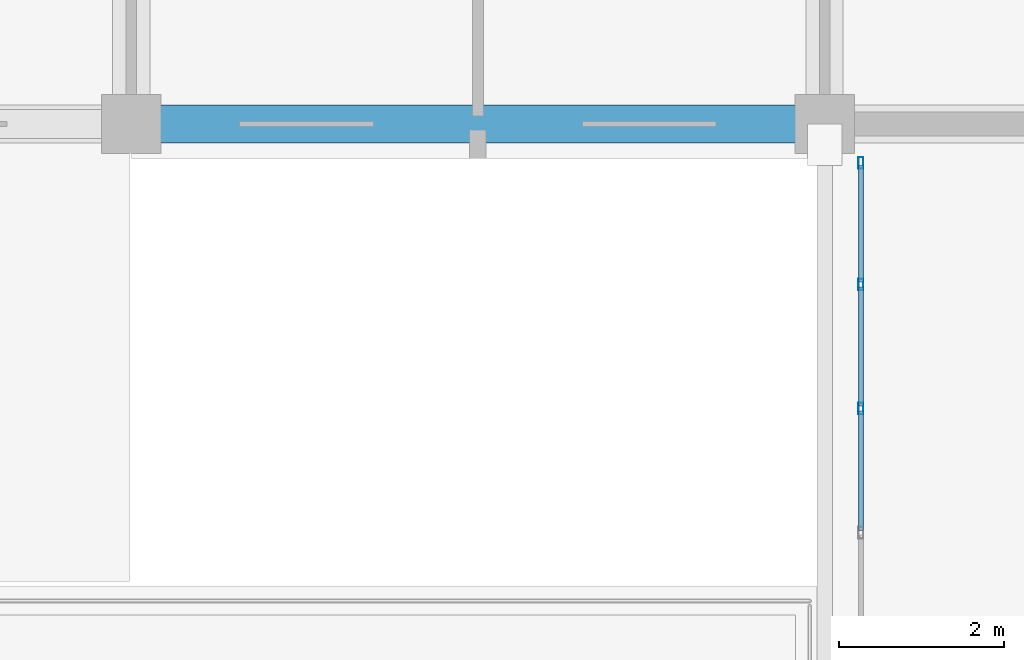
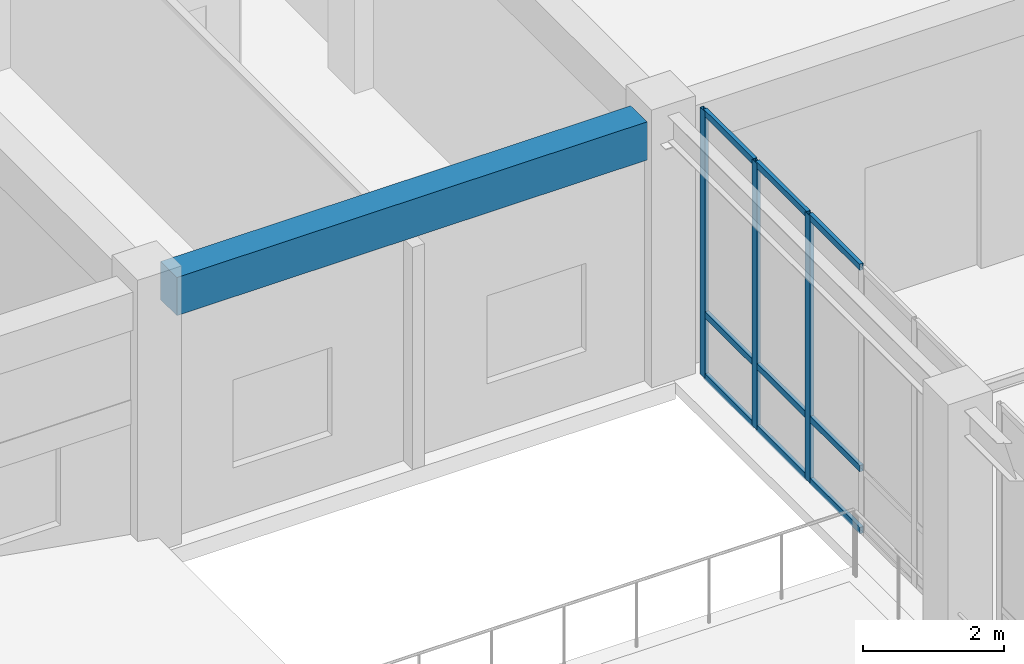
# One storey, part 73 of 158: 12 members, 1 beam, 1 element without a shape of its own.
"""IFC4 building model written with IfcOpenShell, lengths in metres."""

from ifc_helpers import new_model, si_unit, direction, frame, origin, origin_2d, place, context, subcontext, project, spatial, rectangle, hollow_rectangle, extrude, material, layer, layer_set, material_profile, profile_set, type_object, element, aggregate, save


model = new_model("IFC4")

# Units and contexts
model_context = context("Model", 3, precision=1e-05, world=origin(), true_north=direction((0.0, 1.0)))
body_context = subcontext(model_context, "Body", "Model", "MODEL_VIEW")
ifc_project = project(units=[si_unit("LENGTHUNIT", "METRE"), si_unit("AREAUNIT", "SQUARE_METRE"), si_unit("VOLUMEUNIT", "CUBIC_METRE"), si_unit("PLANEANGLEUNIT", "RADIAN"), si_unit("MASSUNIT", "GRAM", prefix="KILO")], contexts=[model_context])

# Site, building, storey
site_placement = place(None, origin())
site = spatial("IfcSite", under=ifc_project, at=site_placement, CompositionType="ELEMENT")
building_placement = place(site_placement, origin())
building = spatial("IfcBuilding", under=site, at=building_placement, Name="Trelvath General Hospital", CompositionType="ELEMENT")
storey_placement = place(building_placement, frame((0.0, 0.0, 8.10009765625)))
storey = spatial("IfcBuildingStorey", under=building, at=storey_placement, Name="L02", CompositionType="ELEMENT", Elevation=8.10009765625)

# Beam
ifc_material_1 = material(Name="Concrete C35/45", Category="concrete")
ifc_material_profile_1 = material_profile(ifc_material_1, rectangle(XDim=0.4599609375, YDim=0.659912109375, at=origin_2d()), Name="RCB460x660")
ifc_profile_set_1 = profile_set([ifc_material_profile_1], Name="Concrete C35/45")
beam_type = type_object("IfcBeamType", Name="Beam RC460x660", PredefinedType="BEAM", material=ifc_profile_set_1)
beam_placement = place(storey_placement, frame((67.554931640625, 92.39990234375, 4.18994140625), z_axis=(1.0, 0.0, 0.0), x_axis=(0.0, 1.0, 0.0)))
element("IfcBeam", 1, at=beam_placement, inside=storey, type_object=beam_type, Name="Grid Beam BX-208L", PredefinedType="BEAM", context=body_context, shape_type="SweptSolid", body=[
    extrude(rectangle(XDim=0.4599609375, YDim=0.659912109375, at=origin_2d()), origin(), (0.0, 0.0, 1.0), 7.690185546875),
])

# Curtain wall, members
ifc_material_2 = material(Name="Anodised aluminium and low-E glass", Category="aluminium")
ifc_layer = layer(ifc_material_2, 0.139892578125)
ifc_layer_set = layer_set([ifc_layer], Name="Anodised aluminium and low-E glass")
curtain_wall_type = type_object("IfcCurtainWallType", Name="CW Bridge 752 461", PredefinedType="USERDEFINED", material=ifc_layer_set)
curtain_wall_placement = place(storey_placement, origin())
curtain_wall = element("IfcCurtainWall", 2, at=curtain_wall_placement, inside=storey, type_object=curtain_wall_type, Name="Glazed Bridge Curtain Wall BRG-N-C W L02", ObjectType="Unitised Glazed Curtain Wall", PredefinedType="USERDEFINED")
ifc_material_3 = material(Name="Anodised aluminium", Category="aluminium")
ifc_material_profile_2 = material_profile(ifc_material_3, hollow_rectangle(XDim=0.06005859375, YDim=0.139892578125, WallThickness=0.00390625, at=origin_2d()), Name="RHS60x140x4")
ifc_profile_set_2 = profile_set([ifc_material_profile_2], Name="Anodised aluminium")
member_type_1 = type_object("IfcMemberType", Name="CurtainMullion 60x140", PredefinedType="MULLION", material=ifc_profile_set_2)
member_1_placement = place(storey_placement, frame((76.0400390625, 88.951904296875, 0.0), z_axis=(0.0, 0.0, 1.0), x_axis=(-1.0, 0.0, 0.0)))
member_1 = element("IfcMember", 3, at=member_1_placement, type_object=member_type_1, Name="CW-224 mullion 4", PredefinedType="MULLION", context=body_context, shape_type="SweptSolid", body=[
    extrude(hollow_rectangle(XDim=0.06005859375, YDim=0.139892578125, WallThickness=0.00390625, at=origin_2d()), origin(), (0.0, 0.0, 1.0), 4.60986328125),
])
member_2_placement = place(storey_placement, frame((76.0400390625, 90.4560546875, 0.0), z_axis=(0.0, 0.0, 1.0), x_axis=(-1.0, 0.0, 0.0)))
member_2 = element("IfcMember", 4, at=member_2_placement, type_object=member_type_1, Name="CW-224 mullion 5", PredefinedType="MULLION", context=body_context, shape_type="SweptSolid", body=[
    extrude(hollow_rectangle(XDim=0.06005859375, YDim=0.139892578125, WallThickness=0.00390625, at=origin_2d()), origin(), (0.0, 0.0, 1.0), 4.60986328125),
])
member_3_placement = place(storey_placement, frame((76.0400390625, 91.929931640625, 0.0), z_axis=(0.0, 0.0, 1.0), x_axis=(-1.0, 0.0, 0.0)))
member_3 = element("IfcMember", 5, at=member_3_placement, type_object=member_type_1, Name="CW-224 mullion 6", PredefinedType="MULLION", context=body_context, shape_type="SweptSolid", body=[
    extrude(hollow_rectangle(XDim=0.06005859375, YDim=0.139892578125, WallThickness=0.00390625, at=origin_2d()), origin(), (0.0, 0.0, 1.0), 4.60986328125),
])
ifc_material_4 = material(Name="Anodised aluminium", Category="aluminium")
ifc_material_profile_3 = material_profile(ifc_material_4, hollow_rectangle(XDim=0.06005859375, YDim=0.110107421875, WallThickness=0.00390625, at=origin_2d()), Name="RHS60x110x4")
ifc_profile_set_3 = profile_set([ifc_material_profile_3], Name="Anodised aluminium")
member_type_2 = type_object("IfcMemberType", Name="CurtainTransom 60x110", PredefinedType="USERDEFINED", material=ifc_profile_set_3)
member_4_placement = place(storey_placement, frame((76.0400390625, 87.47802734375, 0.02978515625), z_axis=(0.0, 1.0, 0.0), x_axis=(-1.0, 0.0, 0.0)))
member_4 = element("IfcMember", 6, at=member_4_placement, type_object=member_type_2, Name="CW-224 transom 3.1", ObjectType="TRANSOM", PredefinedType="USERDEFINED", context=body_context, shape_type="SweptSolid", body=[
    extrude(hollow_rectangle(XDim=0.06005859375, YDim=0.110107421875, WallThickness=0.00390625, at=origin_2d()), origin(), (0.0, 0.0, 1.0), 1.444091796875),
])
member_5_placement = place(storey_placement, frame((76.0400390625, 87.47802734375, 1.099853515625), z_axis=(0.0, 1.0, 0.0), x_axis=(-1.0, 0.0, 0.0)))
member_5 = element("IfcMember", 7, at=member_5_placement, type_object=member_type_2, Name="CW-224 transom 3.2", ObjectType="TRANSOM", PredefinedType="USERDEFINED", context=body_context, shape_type="SweptSolid", body=[
    extrude(hollow_rectangle(XDim=0.06005859375, YDim=0.110107421875, WallThickness=0.00390625, at=origin_2d()), origin(), (0.0, 0.0, 1.0), 1.444091796875),
])
member_6_placement = place(storey_placement, frame((76.0400390625, 87.47802734375, 4.579833984375), z_axis=(0.0, 1.0, 0.0), x_axis=(-1.0, 0.0, 0.0)))
member_6 = element("IfcMember", 8, at=member_6_placement, type_object=member_type_2, Name="CW-224 transom 3.3", ObjectType="TRANSOM", PredefinedType="USERDEFINED", context=body_context, shape_type="SweptSolid", body=[
    extrude(hollow_rectangle(XDim=0.06005859375, YDim=0.110107421875, WallThickness=0.00390625, at=origin_2d()), origin(), (0.0, 0.0, 1.0), 1.444091796875),
])
member_7_placement = place(storey_placement, frame((76.0400390625, 88.98193359375, 0.02978515625), z_axis=(0.0, 1.0, 0.0), x_axis=(-1.0, 0.0, 0.0)))
member_7 = element("IfcMember", 9, at=member_7_placement, type_object=member_type_2, Name="CW-224 transom 4.1", ObjectType="TRANSOM", PredefinedType="USERDEFINED", context=body_context, shape_type="SweptSolid", body=[
    extrude(hollow_rectangle(XDim=0.06005859375, YDim=0.110107421875, WallThickness=0.00390625, at=origin_2d()), origin(), (0.0, 0.0, 1.0), 1.444091796875),
])
member_8_placement = place(storey_placement, frame((76.0400390625, 88.98193359375, 1.099853515625), z_axis=(0.0, 1.0, 0.0), x_axis=(-1.0, 0.0, 0.0)))
member_8 = element("IfcMember", 10, at=member_8_placement, type_object=member_type_2, Name="CW-224 transom 4.2", ObjectType="TRANSOM", PredefinedType="USERDEFINED", context=body_context, shape_type="SweptSolid", body=[
    extrude(hollow_rectangle(XDim=0.06005859375, YDim=0.110107421875, WallThickness=0.00390625, at=origin_2d()), origin(), (0.0, 0.0, 1.0), 1.444091796875),
])
member_9_placement = place(storey_placement, frame((76.0400390625, 88.98193359375, 4.579833984375), z_axis=(0.0, 1.0, 0.0), x_axis=(-1.0, 0.0, 0.0)))
member_9 = element("IfcMember", 11, at=member_9_placement, type_object=member_type_2, Name="CW-224 transom 4.3", ObjectType="TRANSOM", PredefinedType="USERDEFINED", context=body_context, shape_type="SweptSolid", body=[
    extrude(hollow_rectangle(XDim=0.06005859375, YDim=0.110107421875, WallThickness=0.00390625, at=origin_2d()), origin(), (0.0, 0.0, 1.0), 1.444091796875),
])
member_10_placement = place(storey_placement, frame((76.0400390625, 90.486083984375, 0.02978515625), z_axis=(0.0, 1.0, 0.0), x_axis=(-1.0, 0.0, 0.0)))
member_10 = element("IfcMember", 12, at=member_10_placement, type_object=member_type_2, Name="CW-224 transom 5.1", ObjectType="TRANSOM", PredefinedType="USERDEFINED", context=body_context, shape_type="SweptSolid", body=[
    extrude(hollow_rectangle(XDim=0.06005859375, YDim=0.110107421875, WallThickness=0.00390625, at=origin_2d()), origin(), (0.0, 0.0, 1.0), 1.413818359375),
])
member_11_placement = place(storey_placement, frame((76.0400390625, 90.486083984375, 1.099853515625), z_axis=(0.0, 1.0, 0.0), x_axis=(-1.0, 0.0, 0.0)))
member_11 = element("IfcMember", 13, at=member_11_placement, type_object=member_type_2, Name="CW-224 transom 5.2", ObjectType="TRANSOM", PredefinedType="USERDEFINED", context=body_context, shape_type="SweptSolid", body=[
    extrude(hollow_rectangle(XDim=0.06005859375, YDim=0.110107421875, WallThickness=0.00390625, at=origin_2d()), origin(), (0.0, 0.0, 1.0), 1.413818359375),
])
member_12_placement = place(storey_placement, frame((76.0400390625, 90.486083984375, 4.579833984375), z_axis=(0.0, 1.0, 0.0), x_axis=(-1.0, 0.0, 0.0)))
member_12 = element("IfcMember", 14, at=member_12_placement, type_object=member_type_2, Name="CW-224 transom 5.3", ObjectType="TRANSOM", PredefinedType="USERDEFINED", context=body_context, shape_type="SweptSolid", body=[
    extrude(hollow_rectangle(XDim=0.06005859375, YDim=0.110107421875, WallThickness=0.00390625, at=origin_2d()), origin(), (0.0, 0.0, 1.0), 1.413818359375),
])
aggregate(curtain_wall, [member_1, member_2, member_3, member_4, member_5, member_6, member_7, member_8, member_9, member_10, member_11, member_12])

save(model, "model.ifc")
